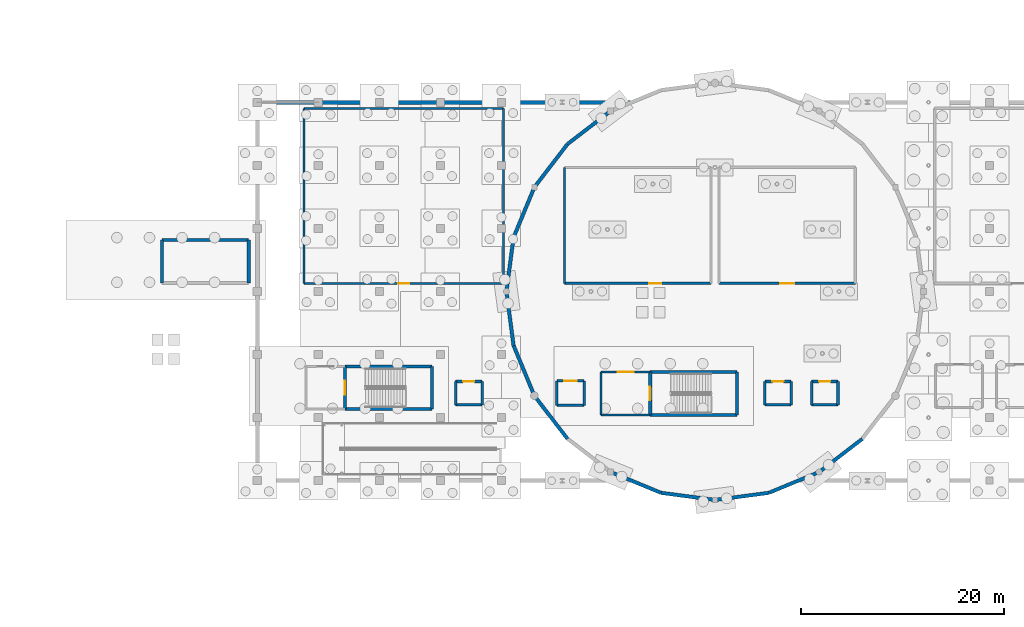
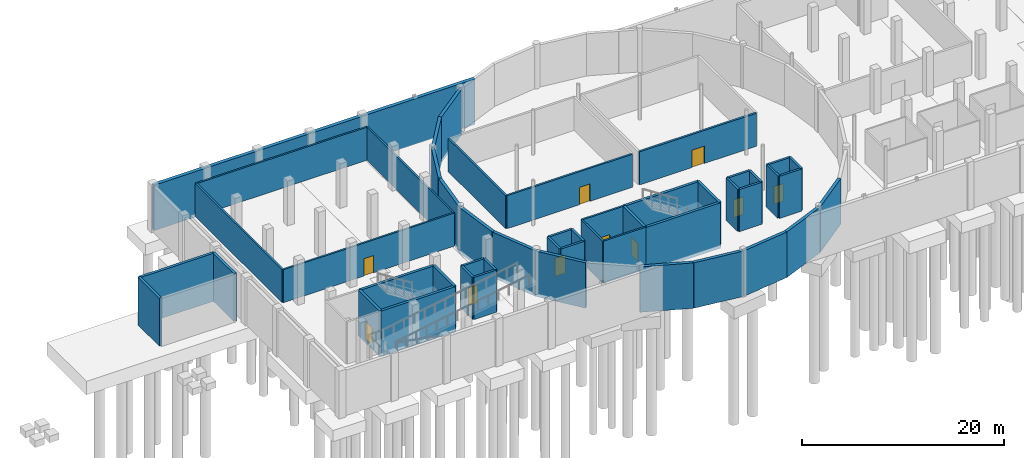
# One storey, part 11 of 19: 50 walls, 10 doors, 10 openings.
"""IFC4 building model written with IfcOpenShell, lengths in metres."""

from ifc_helpers import new_model, si_unit, direction, frame, frame_2d, origin, place, context, subcontext, project, spatial, rectangle, extrude, material, layer, layer_set, type_object, element, fill, save


model = new_model("IFC4")

# Units and contexts
model_context = context("Model", 3, precision=1e-05, world=origin(), true_north=direction((0.0, 1.0)))
body_context = subcontext(model_context, "Body", "Model", "MODEL_VIEW")
ifc_project = project(units=[si_unit("LENGTHUNIT", "METRE"), si_unit("AREAUNIT", "SQUARE_METRE"), si_unit("VOLUMEUNIT", "CUBIC_METRE"), si_unit("PLANEANGLEUNIT", "RADIAN"), si_unit("MASSUNIT", "GRAM", prefix="KILO")], contexts=[model_context])

# Site, building, storey
site_placement = place(None, origin())
site = spatial("IfcSite", under=ifc_project, at=site_placement, CompositionType="ELEMENT")
building_placement = place(site_placement, origin())
building = spatial("IfcBuilding", under=site, at=building_placement, Name="Mirzam Square Science Centre", CompositionType="ELEMENT")
storey_placement = place(building_placement, frame((0.0, 0.0, -5.39990234375)))
storey = spatial("IfcBuildingStorey", under=building, at=storey_placement, Name="B01", CompositionType="ELEMENT", Elevation=-5.39990234375)

# Walls
ifc_material_1 = material(Name="Concrete C45/55", Category="concrete")
ifc_layer_1 = layer(ifc_material_1, 0.300048828125)
ifc_layer_set_1 = layer_set([ifc_layer_1], Name="W-CORE-300")
wall_type_1 = type_object("IfcWallType", Name="W-CORE-300", PredefinedType="SHEAR", material=ifc_layer_set_1)
for number, where, z_axis, x_axis, name in (
    (1, (44.639892578125, 50.43994140625, -0.400146484375), (0.0, 0.0, 1.0), (1.0, 0.0, 0.0), "B01 CORE-1 south wall"),
    (2, (53.159912109375, 54.610107421875, -0.400146484375), (0.0, 0.0, 1.0), (-1.0, 0.0, 0.0), "B01 CORE-1 north wall"),
):
    element("IfcWall", number, at=place(storey_placement, frame(where, z_axis=z_axis, x_axis=x_axis)), inside=storey, type_object=wall_type_1, Name=name, PredefinedType="SHEAR", context=body_context, shape_type="SweptSolid", body=[
        extrude(rectangle(XDim=8.52001953125, YDim=0.300048828125, at=frame_2d((4.260009765625, 0.0))), origin(), (0.0, 0.0, 1.0), 5.5),
    ])

# Wall, opening, door
wall_1_placement = place(storey_placement, frame((44.639892578125, 54.610107421875, -0.400146484375), z_axis=(0.0, 0.0, 1.0), x_axis=(0.0, -1.0, 0.0)))
wall_1 = element("IfcWall", 3, at=wall_1_placement, inside=storey, type_object=wall_type_1, Name="B01 CORE-1 west wall", PredefinedType="SHEAR", context=body_context, shape_type="SweptSolid", body=[
    extrude(rectangle(XDim=4.170166015625, YDim=0.300048828125, at=frame_2d((2.0849609375, 0.0))), origin(), (0.0, 0.0, 1.0), 5.5),
])
opening_1_placement = place(wall_1_placement, frame((1.409912109375, 0.0, 0.39990234375)))
opening_1 = element("IfcOpeningElement", 4, at=opening_1_placement, cuts=wall_1, Name="Opening DS-01", PredefinedType="OPENING", context=body_context, shape_type="SweptSolid", body=[
    extrude(rectangle(XDim=1.35009765625, YDim=2.199951171875, at=frame_2d((0.675048828125, 1.10009765625))), frame((0.0, 0.159912109375, 0.0), z_axis=(0.0, -1.0, 0.0), x_axis=(1.0, 0.0, 0.0)), (0.0, 0.0, 1.0), 0.320068359375),
])
ifc_material_2 = material(Name="Fire-Rated Powder-Coated Architectural Steel Door", Category="steel")
door_type_1 = type_object("IfcDoorType", Name="DR-STAIR-1350x2200", OperationType="NOTDEFINED", PredefinedType="DOOR", material=ifc_material_2)
door_1_placement = place(opening_1_placement, origin())
door_1 = element("IfcDoor", 5, at=door_1_placement, inside=storey, type_object=door_type_1, Name="DRS-1-B01", OperationType="SINGLE_SWING_LEFT", OverallHeight=2.199951171875, OverallWidth=1.35009765625, PredefinedType="DOOR", context=body_context, shape_type="SweptSolid", body=[
    extrude(rectangle(XDim=1.35009765625, YDim=2.199951171875, at=frame_2d((0.675048828125, 1.10009765625))), frame((0.0, 0.02490234375, 0.0), z_axis=(0.0, -1.0, 0.0), x_axis=(1.0, 0.0, 0.0)), (0.0, 0.0, 1.0), 0.050048828125),
])
fill(opening_1, door_1)

# Walls
wall_2_placement = place(storey_placement, frame((53.159912109375, 50.43994140625, -0.400146484375), z_axis=(0.0, 0.0, 1.0), x_axis=(0.0, 1.0, 0.0)))
element("IfcWall", 6, at=wall_2_placement, inside=storey, type_object=wall_type_1, Name="B01 CORE-1 east wall", PredefinedType="SHEAR", context=body_context, shape_type="SweptSolid", body=[
    extrude(rectangle(XDim=4.170166015625, YDim=0.300048828125, at=frame_2d((2.0849609375, 0.0))), origin(), (0.0, 0.0, 1.0), 5.5),
])
wall_3_placement = place(storey_placement, frame((35.159912109375, 67.050048828125, -0.400146484375), z_axis=(0.0, 0.0, 1.0), x_axis=(-1.0, 0.0, 0.0)))
element("IfcWall", 7, at=wall_3_placement, inside=storey, type_object=wall_type_1, Name="B01 CORE-2 foundation north wall", PredefinedType="SHEAR", context=body_context, shape_type="SweptSolid", body=[
    extrude(rectangle(XDim=8.52001953125, YDim=0.300048828125, at=frame_2d((4.260009765625, 0.0))), origin(), (0.0, 0.0, 1.0), 5.800048828125),
])
for number, where, z_axis, x_axis, name in (
    (8, (26.639892578125, 67.050048828125, -0.400146484375), (0.0, 0.0, 1.0), (0.0, -1.0, 0.0), "B01 CORE-2 foundation west wall"),
    (9, (35.159912109375, 62.840087890625, -0.400146484375), (0.0, 0.0, 1.0), (0.0, 1.0, 0.0), "B01 CORE-2 foundation east wall"),
):
    element("IfcWall", number, at=place(storey_placement, frame(where, z_axis=z_axis, x_axis=x_axis)), inside=storey, type_object=wall_type_1, Name=name, PredefinedType="SHEAR", context=body_context, shape_type="SweptSolid", body=[
        extrude(rectangle(XDim=4.2099609375, YDim=0.300048828125, at=frame_2d((2.10498046875, 0.0))), origin(), (0.0, 0.0, 1.0), 5.800048828125),
    ])
for number, where, z_axis, x_axis, name in (
    (10, (74.639892578125, 49.840087890625, -0.400146484375), (0.0, 0.0, 1.0), (1.0, 0.0, 0.0), "B01 CORE-3 south wall"),
    (11, (83.159912109375, 54.090087890625, -0.400146484375), (0.0, 0.0, 1.0), (-1.0, 0.0, 0.0), "B01 CORE-3 north wall"),
):
    element("IfcWall", number, at=place(storey_placement, frame(where, z_axis=z_axis, x_axis=x_axis)), inside=storey, type_object=wall_type_1, Name=name, PredefinedType="SHEAR", context=body_context, shape_type="SweptSolid", body=[
        extrude(rectangle(XDim=8.52001953125, YDim=0.300048828125, at=frame_2d((4.260009765625, 0.0))), origin(), (0.0, 0.0, 1.0), 5.5),
    ])

# Wall, opening, door
wall_4_placement = place(storey_placement, frame((74.639892578125, 54.090087890625, -0.400146484375), z_axis=(0.0, 0.0, 1.0), x_axis=(0.0, -1.0, 0.0)))
wall_4 = element("IfcWall", 12, at=wall_4_placement, inside=storey, type_object=wall_type_1, Name="B01 CORE-3 west wall", PredefinedType="SHEAR", context=body_context, shape_type="SweptSolid", body=[
    extrude(rectangle(XDim=4.25, YDim=0.300048828125, at=frame_2d((2.125, 0.0))), origin(), (0.0, 0.0, 1.0), 5.5),
])
opening_2_placement = place(wall_4_placement, frame((1.449951171875, 0.0, 0.39990234375)))
opening_2 = element("IfcOpeningElement", 13, at=opening_2_placement, cuts=wall_4, Name="Opening DS-01", PredefinedType="OPENING", context=body_context, shape_type="SweptSolid", body=[
    extrude(rectangle(XDim=1.35009765625, YDim=2.199951171875, at=frame_2d((0.675048828125, 1.10009765625))), frame((0.0, 0.159912109375, 0.0), z_axis=(0.0, -1.0, 0.0), x_axis=(1.0, 0.0, 0.0)), (0.0, 0.0, 1.0), 0.320068359375),
])
door_2_placement = place(opening_2_placement, origin())
door_2 = element("IfcDoor", 14, at=door_2_placement, inside=storey, type_object=door_type_1, Name="DRS-3-B01", OperationType="SINGLE_SWING_LEFT", OverallHeight=2.199951171875, OverallWidth=1.35009765625, PredefinedType="DOOR", context=body_context, shape_type="SweptSolid", body=[
    extrude(rectangle(XDim=1.35009765625, YDim=2.199951171875, at=frame_2d((0.675048828125, 1.10009765625))), frame((0.0, 0.02490234375, 0.0), z_axis=(0.0, -1.0, 0.0), x_axis=(1.0, 0.0, 0.0)), (0.0, 0.0, 1.0), 0.050048828125),
])
fill(opening_2, door_2)

# Walls
wall_5_placement = place(storey_placement, frame((83.159912109375, 49.840087890625, -0.400146484375), z_axis=(0.0, 0.0, 1.0), x_axis=(0.0, 1.0, 0.0)))
element("IfcWall", 15, at=wall_5_placement, inside=storey, type_object=wall_type_1, Name="B01 CORE-3 east wall", PredefinedType="SHEAR", context=body_context, shape_type="SweptSolid", body=[
    extrude(rectangle(XDim=4.25, YDim=0.300048828125, at=frame_2d((2.125, 0.0))), origin(), (0.0, 0.0, 1.0), 5.5),
])
ifc_layer_2 = layer(ifc_material_1, 0.35009765625)
ifc_layer_set_2 = layer_set([ifc_layer_2], Name="W-DRUM-350")
wall_type_2 = type_object("IfcWallType", Name="W-DRUM-350", PredefinedType="SHEAR", material=ifc_layer_set_2)
for number, where, z_axis, x_axis, name in (
    (16, (70.75, 79.75341796875, -0.400146484375), (0.0, 0.0, 1.0), (-0.793349293227, -0.60876670321, 0.0), "B01 planetarium drum wall 09"),
    (17, (66.50439453125, 76.49560546875, -0.400146484375), (0.0, 0.0, 1.0), (-0.60876670321, -0.793349293227, 0.0), "B01 planetarium drum wall 10"),
    (18, (63.24658203125, 72.25, -0.400146484375), (0.0, 0.0, 1.0), (-0.382713071139, -0.923867255172, 0.0), "B01 planetarium drum wall 11"),
):
    element("IfcWall", number, at=place(storey_placement, frame(where, z_axis=z_axis, x_axis=x_axis)), inside=storey, type_object=wall_type_2, Name=name, PredefinedType="SHEAR", context=body_context, shape_type="SweptSolid", body=[
        extrude(rectangle(XDim=5.3515625, YDim=0.35009765625, at=frame_2d((2.67578125, 0.0))), origin(), (0.0, 0.0, 1.0), 5.5),
    ])
for number, where, z_axis, x_axis, name in (
    (19, (61.198486328125, 67.305908203125, -0.400146484375), (0.0, 0.0, 1.0), (-0.130517056518, -0.991446064069, 0.0), "B01 planetarium drum wall 12"),
    (20, (60.5, 62.0, -0.400146484375), (0.0, 0.0, 1.0), (0.130517056518, -0.991446064069, 0.0), "B01 planetarium drum wall 13"),
):
    element("IfcWall", number, at=place(storey_placement, frame(where, z_axis=z_axis, x_axis=x_axis)), inside=storey, type_object=wall_type_2, Name=name, PredefinedType="SHEAR", context=body_context, shape_type="SweptSolid", body=[
        extrude(rectangle(XDim=5.351806640625, YDim=0.35009765625, at=frame_2d((2.67578125, 0.0))), origin(), (0.0, 0.0, 1.0), 5.5),
    ])
for number, where, z_axis, x_axis, name in (
    (21, (61.198486328125, 56.694091796875, -0.400146484375), (0.0, 0.0, 1.0), (0.382713071139, -0.923867255172, 0.0), "B01 planetarium drum wall 14"),
    (22, (63.24658203125, 51.75, -0.400146484375), (0.0, 0.0, 1.0), (0.60876670321, -0.793349293227, 0.0), "B01 planetarium drum wall 15"),
    (23, (70.75, 44.24658203125, -0.400146484375), (0.0, 0.0, 1.0), (0.923867255172, -0.382713071139, 0.0), "B01 planetarium drum wall 17"),
):
    element("IfcWall", number, at=place(storey_placement, frame(where, z_axis=z_axis, x_axis=x_axis)), inside=storey, type_object=wall_type_2, Name=name, PredefinedType="SHEAR", context=body_context, shape_type="SweptSolid", body=[
        extrude(rectangle(XDim=5.3515625, YDim=0.35009765625, at=frame_2d((2.67578125, 0.0))), origin(), (0.0, 0.0, 1.0), 5.5),
    ])
for number, where, z_axis, x_axis, name in (
    (24, (75.694091796875, 42.198486328125, -0.400146484375), (0.0, 0.0, 1.0), (0.991446064069, -0.130517056518, 0.0), "B01 planetarium drum wall 18"),
    (25, (81.0, 41.5, -0.400146484375), (0.0, 0.0, 1.0), (0.991446064069, 0.130517056518, 0.0), "B01 planetarium drum wall 19"),
):
    element("IfcWall", number, at=place(storey_placement, frame(where, z_axis=z_axis, x_axis=x_axis)), inside=storey, type_object=wall_type_2, Name=name, PredefinedType="SHEAR", context=body_context, shape_type="SweptSolid", body=[
        extrude(rectangle(XDim=5.351806640625, YDim=0.35009765625, at=frame_2d((2.67578125, 0.0))), origin(), (0.0, 0.0, 1.0), 5.5),
    ])
for number, where, z_axis, x_axis, name in (
    (26, (86.305908203125, 42.198486328125, -0.400146484375), (0.0, 0.0, 1.0), (0.923867255172, 0.382713071139, 0.0), "B01 planetarium drum wall 20"),
    (27, (91.25, 44.24658203125, -0.400146484375), (0.0, 0.0, 1.0), (0.793349293227, 0.60876670321, 0.0), "B01 planetarium drum wall 21"),
):
    element("IfcWall", number, at=place(storey_placement, frame(where, z_axis=z_axis, x_axis=x_axis)), inside=storey, type_object=wall_type_2, Name=name, PredefinedType="SHEAR", context=body_context, shape_type="SweptSolid", body=[
        extrude(rectangle(XDim=5.3515625, YDim=0.35009765625, at=frame_2d((2.67578125, 0.0))), origin(), (0.0, 0.0, 1.0), 5.5),
    ])
ifc_layer_3 = layer(ifc_material_1, 0.199951171875)
ifc_layer_set_3 = layer_set([ifc_layer_3], Name="W-LOBBY-200")
wall_type_3 = type_object("IfcWallType", Name="W-LOBBY-200", PredefinedType="SHEAR", material=ifc_layer_set_3)
wall_6_placement = place(storey_placement, frame((69.800048828125, 49.840087890625, 0.0), z_axis=(0.0, 0.0, 1.0), x_axis=(1.0, 0.0, 0.0)))
element("IfcWall", 28, at=wall_6_placement, inside=storey, type_object=wall_type_3, Name="B01 CORE-3 lobby south wall", PredefinedType="SHEAR", context=body_context, shape_type="SweptSolid", body=[
    extrude(rectangle(XDim=4.83984375, YDim=0.199951171875, at=frame_2d((2.419921875, 0.0))), origin(), (0.0, 0.0, 1.0), 5.099853515625),
])

# Wall, opening, door
wall_7_placement = place(storey_placement, frame((74.639892578125, 54.090087890625, 0.0), z_axis=(0.0, 0.0, 1.0), x_axis=(-1.0, 0.0, 0.0)))
wall_7 = element("IfcWall", 29, at=wall_7_placement, inside=storey, type_object=wall_type_3, Name="B01 CORE-3 lobby north wall", PredefinedType="SHEAR", context=body_context, shape_type="SweptSolid", body=[
    extrude(rectangle(XDim=4.83984375, YDim=0.199951171875, at=frame_2d((2.419921875, 0.0))), origin(), (0.0, 0.0, 1.0), 5.099853515625),
])
opening_3_placement = place(wall_7_placement, frame((1.64501953125, 0.0, 0.0)))
opening_3 = element("IfcOpeningElement", 30, at=opening_3_placement, cuts=wall_7, Name="Opening DL-01", PredefinedType="OPENING", context=body_context, shape_type="SweptSolid", body=[
    extrude(rectangle(XDim=1.550048828125, YDim=2.199951171875, at=frame_2d((0.77490234375, 1.10009765625))), frame((0.0, 0.10986328125, 0.0), z_axis=(0.0, -1.0, 0.0), x_axis=(1.0, 0.0, 0.0)), (0.0, 0.0, 1.0), 0.219970703125),
])
ifc_material_3 = material(Name="Fire-Rated Glazed Architectural Steel Lobby Door", Category="steel")
door_type_2 = type_object("IfcDoorType", Name="DR-LOBBY-1550x2200", OperationType="DOUBLE_DOOR_SINGLE_SWING", PredefinedType="DOOR", material=ifc_material_3)
door_3_placement = place(opening_3_placement, origin())
door_3 = element("IfcDoor", 31, at=door_3_placement, inside=storey, type_object=door_type_2, Name="DRL-3-B01", OperationType="SINGLE_SWING_LEFT", OverallHeight=2.199951171875, OverallWidth=1.550048828125, PredefinedType="DOOR", context=body_context, shape_type="SweptSolid", body=[
    extrude(rectangle(XDim=1.550048828125, YDim=2.199951171875, at=frame_2d((0.77490234375, 1.10009765625))), frame((0.0, 0.02490234375, 0.0), z_axis=(0.0, -1.0, 0.0), x_axis=(1.0, 0.0, 0.0)), (0.0, 0.0, 1.0), 0.050048828125),
])
fill(opening_3, door_3)

# Walls
wall_8_placement = place(storey_placement, frame((69.800048828125, 54.090087890625, 0.0), z_axis=(0.0, 0.0, 1.0), x_axis=(0.0, -1.0, 0.0)))
element("IfcWall", 32, at=wall_8_placement, inside=storey, type_object=wall_type_3, Name="B01 CORE-3 lobby west wall", PredefinedType="SHEAR", context=body_context, shape_type="SweptSolid", body=[
    extrude(rectangle(XDim=4.25, YDim=0.199951171875, at=frame_2d((2.125, 0.0))), origin(), (0.0, 0.0, 1.0), 5.099853515625),
])
ifc_material_4 = material(Name="Fire-Rated Corridor Blockwork Concrete C30/37", Category="masonry")
ifc_layer_4 = layer(ifc_material_4, 0.199951171875)
ifc_layer_set_4 = layer_set([ifc_layer_4], Name="W-PART-200")
wall_type_4 = type_object("IfcWallType", Name="W-PART-200", PredefinedType="PARTITIONING", material=ifc_layer_set_4)
wall_9_placement = place(storey_placement, frame((40.60009765625, 80.0, 0.0), z_axis=(0.0, 0.0, 1.0), x_axis=(1.0, 0.0, 0.0)))
element("IfcWall", 33, at=wall_9_placement, inside=storey, type_object=wall_type_4, Name="B01 Visitor and Staff Cycle Store partition 13", PredefinedType="PARTITIONING", context=body_context, shape_type="SweptSolid", body=[
    extrude(rectangle(XDim=19.599853515625, YDim=0.199951171875, at=frame_2d((9.7998046875, 0.0))), origin(), (0.0, 0.0, 1.0), 4.0),
])
wall_10_placement = place(storey_placement, frame((60.199951171875, 80.0, 0.0), z_axis=(0.0, 0.0, 1.0), x_axis=(0.0, -1.0, 0.0)))
element("IfcWall", 34, at=wall_10_placement, inside=storey, type_object=wall_type_4, Name="B01 Visitor and Staff Cycle Store partition 14", PredefinedType="PARTITIONING", context=body_context, shape_type="SweptSolid", body=[
    extrude(rectangle(XDim=17.199951171875, YDim=0.199951171875, at=frame_2d((8.60009765625, 0.0))), origin(), (0.0, 0.0, 1.0), 4.0),
])

# Wall, opening, door
wall_11_placement = place(storey_placement, frame((60.199951171875, 62.800048828125, 0.0), z_axis=(0.0, 0.0, 1.0), x_axis=(-1.0, 0.0, 0.0)))
wall_11 = element("IfcWall", 35, at=wall_11_placement, inside=storey, type_object=wall_type_4, Name="B01 Visitor and Staff Cycle Store partition 15", PredefinedType="PARTITIONING", context=body_context, shape_type="SweptSolid", body=[
    extrude(rectangle(XDim=19.599853515625, YDim=0.199951171875, at=frame_2d((9.7998046875, 0.0))), origin(), (0.0, 0.0, 1.0), 4.0),
])
opening_4_placement = place(wall_11_placement, frame((9.25, 0.0, 0.0)))
opening_4 = element("IfcOpeningElement", 36, at=opening_4_placement, cuts=wall_11, Name="Opening D-05", PredefinedType="OPENING", context=body_context, shape_type="SweptSolid", body=[
    extrude(rectangle(XDim=1.10009765625, YDim=2.10009765625, at=frame_2d((0.550048828125, 1.050048828125))), frame((0.0, 0.10986328125, 0.0), z_axis=(0.0, -1.0, 0.0), x_axis=(1.0, 0.0, 0.0)), (0.0, 0.0, 1.0), 0.219970703125),
])
ifc_material_5 = material(Name="Solid Core Acoustic Oak Timber Door", Category="wood")
door_type_3 = type_object("IfcDoorType", Name="DR-INT-1100x2100", OperationType="NOTDEFINED", PredefinedType="DOOR", material=ifc_material_5)
door_4_placement = place(opening_4_placement, origin())
door_4 = element("IfcDoor", 37, at=door_4_placement, inside=storey, type_object=door_type_3, Name="ID-B01-0004", OperationType="SINGLE_SWING_LEFT", OverallHeight=2.10009765625, OverallWidth=1.10009765625, PredefinedType="DOOR", context=body_context, shape_type="SweptSolid", body=[
    extrude(rectangle(XDim=1.10009765625, YDim=2.10009765625, at=frame_2d((0.550048828125, 1.050048828125))), frame((0.0, 0.02490234375, 0.0), z_axis=(0.0, -1.0, 0.0), x_axis=(1.0, 0.0, 0.0)), (0.0, 0.0, 1.0), 0.050048828125),
])
fill(opening_4, door_4)

# Wall
wall_12_placement = place(storey_placement, frame((40.60009765625, 62.800048828125, 0.0), z_axis=(0.0, 0.0, 1.0), x_axis=(0.0, 1.0, 0.0)))
element("IfcWall", 38, at=wall_12_placement, inside=storey, type_object=wall_type_4, Name="B01 Visitor and Staff Cycle Store partition 16", PredefinedType="PARTITIONING", context=body_context, shape_type="SweptSolid", body=[
    extrude(rectangle(XDim=17.199951171875, YDim=0.199951171875, at=frame_2d((8.60009765625, 0.0))), origin(), (0.0, 0.0, 1.0), 4.0),
])

# Wall, opening, door
ifc_material_6 = material(Name="Chemical Prep Fire Partition Concrete C30/37", Category="concrete")
ifc_layer_5 = layer(ifc_material_6, 0.215087890625)
ifc_layer_set_5 = layer_set([ifc_layer_5], Name="W-PART-215")
wall_type_5 = type_object("IfcWallType", Name="W-PART-215", PredefinedType="PARTITIONING", material=ifc_layer_set_5)
wall_13_placement = place(storey_placement, frame((80.60009765625, 62.800048828125, 0.0), z_axis=(0.0, 0.0, 1.0), x_axis=(-1.0, 0.0, 0.0)))
wall_13 = element("IfcWall", 39, at=wall_13_placement, inside=storey, type_object=wall_type_5, Name="B01 Exhibit Fabrication Workshop partition 19", PredefinedType="PARTITIONING", context=body_context, shape_type="SweptSolid", body=[
    extrude(rectangle(XDim=14.400146484375, YDim=0.215087890625, at=frame_2d((7.2001953125, 0.0))), origin(), (0.0, 0.0, 1.0), 4.0),
])
opening_5_placement = place(wall_13_placement, frame((4.8720703125, 0.0, 0.0)))
opening_5 = element("IfcOpeningElement", 40, at=opening_5_placement, cuts=wall_13, Name="Opening D-06", PredefinedType="OPENING", context=body_context, shape_type="SweptSolid", body=[
    extrude(rectangle(XDim=1.199951171875, YDim=2.10009765625, at=frame_2d((0.60009765625, 1.050048828125))), frame((0.0, 0.117431640625, 0.0), z_axis=(0.0, -1.0, 0.0), x_axis=(1.0, 0.0, 0.0)), (0.0, 0.0, 1.0), 0.235107421875),
])
door_type_4 = type_object("IfcDoorType", Name="DR-INT-1200x2100", OperationType="NOTDEFINED", PredefinedType="DOOR", material=ifc_material_5)
door_5_placement = place(opening_5_placement, origin())
door_5 = element("IfcDoor", 41, at=door_5_placement, inside=storey, type_object=door_type_4, Name="ID-B01-0005", OperationType="SINGLE_SWING_RIGHT", OverallHeight=2.10009765625, OverallWidth=1.199951171875, PredefinedType="DOOR", context=body_context, shape_type="SweptSolid", body=[
    extrude(rectangle(XDim=1.199951171875, YDim=2.10009765625, at=frame_2d((0.60009765625, 1.050048828125))), frame((0.0, 0.02490234375, 0.0), z_axis=(0.0, -1.0, 0.0), x_axis=(1.0, 0.0, 0.0)), (0.0, 0.0, 1.0), 0.050048828125),
])
fill(opening_5, door_5)

# Wall
wall_14_placement = place(storey_placement, frame((66.199951171875, 62.800048828125, 0.0), z_axis=(0.0, 0.0, 1.0), x_axis=(0.0, 1.0, 0.0)))
element("IfcWall", 42, at=wall_14_placement, inside=storey, type_object=wall_type_5, Name="B01 Exhibit Fabrication Workshop partition 20", PredefinedType="PARTITIONING", context=body_context, shape_type="SweptSolid", body=[
    extrude(rectangle(XDim=11.39990234375, YDim=0.215087890625, at=frame_2d((5.699951171875, 0.0))), origin(), (0.0, 0.0, 1.0), 4.0),
])

# Wall, opening, door
ifc_material_7 = material(Name="Gallery Display Backing Wall Concrete C30/37", Category="concrete")
ifc_layer_6 = layer(ifc_material_7, 0.22998046875)
ifc_layer_set_6 = layer_set([ifc_layer_6], Name="W-PART-230")
wall_type_6 = type_object("IfcWallType", Name="W-PART-230", PredefinedType="PARTITIONING", material=ifc_layer_set_6)
wall_15_placement = place(storey_placement, frame((94.800048828125, 62.800048828125, 0.0), z_axis=(0.0, 0.0, 1.0), x_axis=(-1.0, 0.0, 0.0)))
wall_15 = element("IfcWall", 43, at=wall_15_placement, inside=storey, type_object=wall_type_6, Name="B01 Conservation and Quarantine Laboratory partition 23", PredefinedType="PARTITIONING", context=body_context, shape_type="SweptSolid", body=[
    extrude(rectangle(XDim=13.400146484375, YDim=0.22998046875, at=frame_2d((6.7001953125, 0.0))), origin(), (0.0, 0.0, 1.0), 4.0),
])
opening_6_placement = place(wall_15_placement, frame((6.0, 0.0, 0.0)))
opening_6 = element("IfcOpeningElement", 44, at=opening_6_placement, cuts=wall_15, Name="Opening D-07", PredefinedType="OPENING", context=body_context, shape_type="SweptSolid", body=[
    extrude(rectangle(XDim=1.39990234375, YDim=2.10009765625, at=frame_2d((0.699951171875, 1.050048828125))), frame((0.0, 0.125, 0.0), z_axis=(0.0, -1.0, 0.0), x_axis=(1.0, 0.0, 0.0)), (0.0, 0.0, 1.0), 0.25),
])
door_type_5 = type_object("IfcDoorType", Name="DR-INT-1400x2100", OperationType="NOTDEFINED", PredefinedType="DOOR", material=ifc_material_5)
door_6_placement = place(opening_6_placement, origin())
door_6 = element("IfcDoor", 45, at=door_6_placement, inside=storey, type_object=door_type_5, Name="ID-B01-0006", OperationType="SINGLE_SWING_LEFT", OverallHeight=2.10009765625, OverallWidth=1.39990234375, PredefinedType="DOOR", context=body_context, shape_type="SweptSolid", body=[
    extrude(rectangle(XDim=1.39990234375, YDim=2.10009765625, at=frame_2d((0.699951171875, 1.050048828125))), frame((0.0, 0.02490234375, 0.0), z_axis=(0.0, -1.0, 0.0), x_axis=(1.0, 0.0, 0.0)), (0.0, 0.0, 1.0), 0.050048828125),
])
fill(opening_6, door_6)

# Walls
ifc_layer_7 = layer(ifc_material_1, 0.39990234375)
ifc_layer_set_7 = layer_set([ifc_layer_7], Name="W-RET-400")
wall_type_7 = type_object("IfcWallType", Name="W-RET-400", PredefinedType="USERDEFINED", material=ifc_layer_set_7)
wall_16_placement = place(storey_placement, frame((36.0, 80.60009765625, -0.400146484375), z_axis=(0.0, 0.0, 1.0), x_axis=(1.0, 0.0, 0.0)))
element("IfcWall", 46, at=wall_16_placement, inside=storey, type_object=wall_type_7, Name="B01 tanked retaining wall 13", ObjectType="RETAINING WALL", PredefinedType="USERDEFINED", context=body_context, shape_type="SweptSolid", body=[
    extrude(rectangle(XDim=36.793701171875, YDim=0.39990234375, at=frame_2d((18.39697265625, 0.0))), origin(), (0.0, 0.0, 1.0), 5.5),
])
ifc_layer_8 = layer(ifc_material_1, 0.25)
ifc_layer_set_8 = layer_set([ifc_layer_8], Name="W-SHAFT-250")
wall_type_8 = type_object("IfcWallType", Name="W-SHAFT-250", PredefinedType="SHEAR", material=ifc_layer_set_8)
wall_17_placement = place(storey_placement, frame((85.89990234375, 50.85009765625, 0.0), z_axis=(0.0, 0.0, 1.0), x_axis=(1.0, 0.0, 0.0)))
element("IfcWall", 47, at=wall_17_placement, inside=storey, type_object=wall_type_8, Name="B01 lift LP-01 shaft wall S", PredefinedType="SHEAR", context=body_context, shape_type="SweptSolid", body=[
    extrude(rectangle(XDim=2.60009765625, YDim=0.25, at=frame_2d((1.300048828125, 0.0))), origin(), (0.0, 0.0, 1.0), 5.099853515625),
])

# Wall, opening, door
wall_18_placement = place(storey_placement, frame((88.5, 53.14990234375, 0.0), z_axis=(0.0, 0.0, 1.0), x_axis=(-1.0, 0.0, 0.0)))
wall_18 = element("IfcWall", 48, at=wall_18_placement, inside=storey, type_object=wall_type_8, Name="B01 lift LP-01 shaft wall N", PredefinedType="SHEAR", context=body_context, shape_type="SweptSolid", body=[
    extrude(rectangle(XDim=2.60009765625, YDim=0.25, at=frame_2d((1.300048828125, 0.0))), origin(), (0.0, 0.0, 1.0), 5.099853515625),
])
opening_7_placement = place(wall_18_placement, frame((0.75, 0.0, 0.0)))
opening_7 = element("IfcOpeningElement", 49, at=opening_7_placement, cuts=wall_18, Name="Opening LD-01", PredefinedType="OPENING", context=body_context, shape_type="SweptSolid", body=[
    extrude(rectangle(XDim=1.10009765625, YDim=2.14990234375, at=frame_2d((0.550048828125, 1.074951171875))), frame((0.0, 0.135009765625, 0.0), z_axis=(0.0, -1.0, 0.0), x_axis=(1.0, 0.0, 0.0)), (0.0, 0.0, 1.0), 0.27001953125),
])
ifc_material_8 = material(Name="Brushed Stainless Steel 316L Sliding Lift Door", Category="steel")
door_type_6 = type_object("IfcDoorType", Name="LD-PASS-1100x2150", OperationType="DOUBLE_DOOR_SLIDING", PredefinedType="DOOR", material=ifc_material_8)
door_7_placement = place(opening_7_placement, origin())
door_7 = element("IfcDoor", 50, at=door_7_placement, inside=storey, type_object=door_type_6, Name="LD-LP-01-B01", OperationType="DOUBLE_DOOR_SLIDING", OverallHeight=2.14990234375, OverallWidth=1.10009765625, PredefinedType="DOOR", context=body_context, shape_type="SweptSolid", body=[
    extrude(rectangle(XDim=1.10009765625, YDim=2.14990234375, at=frame_2d((0.550048828125, 1.074951171875))), frame((0.0, 0.02490234375, 0.0), z_axis=(0.0, -1.0, 0.0), x_axis=(1.0, 0.0, 0.0)), (0.0, 0.0, 1.0), 0.050048828125),
])
fill(opening_7, door_7)

# Walls
for number, where, z_axis, x_axis, name in (
    (51, (85.89990234375, 53.14990234375, 0.0), (0.0, 0.0, 1.0), (0.0, -1.0, 0.0), "B01 lift LP-01 shaft wall W"),
    (52, (88.5, 50.85009765625, 0.0), (0.0, 0.0, 1.0), (0.0, 1.0, 0.0), "B01 lift LP-01 shaft wall E"),
):
    element("IfcWall", number, at=place(storey_placement, frame(where, z_axis=z_axis, x_axis=x_axis)), inside=storey, type_object=wall_type_8, Name=name, PredefinedType="SHEAR", context=body_context, shape_type="SweptSolid", body=[
        extrude(rectangle(XDim=2.2998046875, YDim=0.25, at=frame_2d((1.14990234375, 0.0))), origin(), (0.0, 0.0, 1.0), 5.099853515625),
    ])
wall_19_placement = place(storey_placement, frame((90.5, 50.85009765625, 0.0), z_axis=(0.0, 0.0, 1.0), x_axis=(1.0, 0.0, 0.0)))
element("IfcWall", 53, at=wall_19_placement, inside=storey, type_object=wall_type_8, Name="B01 lift LP-02 shaft wall S", PredefinedType="SHEAR", context=body_context, shape_type="SweptSolid", body=[
    extrude(rectangle(XDim=2.60009765625, YDim=0.25, at=frame_2d((1.300048828125, 0.0))), origin(), (0.0, 0.0, 1.0), 5.099853515625),
])

# Wall, opening, door
wall_20_placement = place(storey_placement, frame((93.10009765625, 53.14990234375, 0.0), z_axis=(0.0, 0.0, 1.0), x_axis=(-1.0, 0.0, 0.0)))
wall_20 = element("IfcWall", 54, at=wall_20_placement, inside=storey, type_object=wall_type_8, Name="B01 lift LP-02 shaft wall N", PredefinedType="SHEAR", context=body_context, shape_type="SweptSolid", body=[
    extrude(rectangle(XDim=2.60009765625, YDim=0.25, at=frame_2d((1.300048828125, 0.0))), origin(), (0.0, 0.0, 1.0), 5.099853515625),
])
opening_8_placement = place(wall_20_placement, frame((0.75, 0.0, 0.0)))
opening_8 = element("IfcOpeningElement", 55, at=opening_8_placement, cuts=wall_20, Name="Opening LD-01", PredefinedType="OPENING", context=body_context, shape_type="SweptSolid", body=[
    extrude(rectangle(XDim=1.10009765625, YDim=2.14990234375, at=frame_2d((0.550048828125, 1.074951171875))), frame((0.0, 0.135009765625, 0.0), z_axis=(0.0, -1.0, 0.0), x_axis=(1.0, 0.0, 0.0)), (0.0, 0.0, 1.0), 0.27001953125),
])
door_8_placement = place(opening_8_placement, origin())
door_8 = element("IfcDoor", 56, at=door_8_placement, inside=storey, type_object=door_type_6, Name="LD-LP-02-B01", OperationType="DOUBLE_DOOR_SLIDING", OverallHeight=2.14990234375, OverallWidth=1.10009765625, PredefinedType="DOOR", context=body_context, shape_type="SweptSolid", body=[
    extrude(rectangle(XDim=1.10009765625, YDim=2.14990234375, at=frame_2d((0.550048828125, 1.074951171875))), frame((0.0, 0.02490234375, 0.0), z_axis=(0.0, -1.0, 0.0), x_axis=(1.0, 0.0, 0.0)), (0.0, 0.0, 1.0), 0.050048828125),
])
fill(opening_8, door_8)

# Walls
for number, where, z_axis, x_axis, name in (
    (57, (90.5, 53.14990234375, 0.0), (0.0, 0.0, 1.0), (0.0, -1.0, 0.0), "B01 lift LP-02 shaft wall W"),
    (58, (93.10009765625, 50.85009765625, 0.0), (0.0, 0.0, 1.0), (0.0, 1.0, 0.0), "B01 lift LP-02 shaft wall E"),
):
    element("IfcWall", number, at=place(storey_placement, frame(where, z_axis=z_axis, x_axis=x_axis)), inside=storey, type_object=wall_type_8, Name=name, PredefinedType="SHEAR", context=body_context, shape_type="SweptSolid", body=[
        extrude(rectangle(XDim=2.2998046875, YDim=0.25, at=frame_2d((1.14990234375, 0.0))), origin(), (0.0, 0.0, 1.0), 5.099853515625),
    ])
wall_21_placement = place(storey_placement, frame((55.5, 50.85009765625, 0.0), z_axis=(0.0, 0.0, 1.0), x_axis=(1.0, 0.0, 0.0)))
element("IfcWall", 59, at=wall_21_placement, inside=storey, type_object=wall_type_8, Name="B01 lift LP-04 shaft wall S", PredefinedType="SHEAR", context=body_context, shape_type="SweptSolid", body=[
    extrude(rectangle(XDim=2.60009765625, YDim=0.25, at=frame_2d((1.300048828125, 0.0))), origin(), (0.0, 0.0, 1.0), 5.099853515625),
])

# Wall, opening, door
wall_22_placement = place(storey_placement, frame((58.10009765625, 53.14990234375, 0.0), z_axis=(0.0, 0.0, 1.0), x_axis=(-1.0, 0.0, 0.0)))
wall_22 = element("IfcWall", 60, at=wall_22_placement, inside=storey, type_object=wall_type_8, Name="B01 lift LP-04 shaft wall N", PredefinedType="SHEAR", context=body_context, shape_type="SweptSolid", body=[
    extrude(rectangle(XDim=2.60009765625, YDim=0.25, at=frame_2d((1.300048828125, 0.0))), origin(), (0.0, 0.0, 1.0), 5.099853515625),
])
opening_9_placement = place(wall_22_placement, frame((0.75, 0.0, 0.0)))
opening_9 = element("IfcOpeningElement", 61, at=opening_9_placement, cuts=wall_22, Name="Opening LD-01", PredefinedType="OPENING", context=body_context, shape_type="SweptSolid", body=[
    extrude(rectangle(XDim=1.10009765625, YDim=2.14990234375, at=frame_2d((0.550048828125, 1.074951171875))), frame((0.0, 0.135009765625, 0.0), z_axis=(0.0, -1.0, 0.0), x_axis=(1.0, 0.0, 0.0)), (0.0, 0.0, 1.0), 0.27001953125),
])
door_9_placement = place(opening_9_placement, origin())
door_9 = element("IfcDoor", 62, at=door_9_placement, inside=storey, type_object=door_type_6, Name="LD-LP-04-B01", OperationType="DOUBLE_DOOR_SLIDING", OverallHeight=2.14990234375, OverallWidth=1.10009765625, PredefinedType="DOOR", context=body_context, shape_type="SweptSolid", body=[
    extrude(rectangle(XDim=1.10009765625, YDim=2.14990234375, at=frame_2d((0.550048828125, 1.074951171875))), frame((0.0, 0.02490234375, 0.0), z_axis=(0.0, -1.0, 0.0), x_axis=(1.0, 0.0, 0.0)), (0.0, 0.0, 1.0), 0.050048828125),
])
fill(opening_9, door_9)

# Walls
for number, where, z_axis, x_axis, name in (
    (63, (55.5, 53.14990234375, 0.0), (0.0, 0.0, 1.0), (0.0, -1.0, 0.0), "B01 lift LP-04 shaft wall W"),
    (64, (58.10009765625, 50.85009765625, 0.0), (0.0, 0.0, 1.0), (0.0, 1.0, 0.0), "B01 lift LP-04 shaft wall E"),
):
    element("IfcWall", number, at=place(storey_placement, frame(where, z_axis=z_axis, x_axis=x_axis)), inside=storey, type_object=wall_type_8, Name=name, PredefinedType="SHEAR", context=body_context, shape_type="SweptSolid", body=[
        extrude(rectangle(XDim=2.2998046875, YDim=0.25, at=frame_2d((1.14990234375, 0.0))), origin(), (0.0, 0.0, 1.0), 5.099853515625),
    ])
wall_23_placement = place(storey_placement, frame((65.449951171875, 50.800048828125, 0.0), z_axis=(0.0, 0.0, 1.0), x_axis=(1.0, 0.0, 0.0)))
element("IfcWall", 65, at=wall_23_placement, inside=storey, type_object=wall_type_8, Name="B01 lift LF-01 shaft wall S", PredefinedType="SHEAR", context=body_context, shape_type="SweptSolid", body=[
    extrude(rectangle(XDim=2.699951171875, YDim=0.25, at=frame_2d((1.35009765625, 0.0))), origin(), (0.0, 0.0, 1.0), 5.099853515625),
])

# Wall, opening, door
wall_24_placement = place(storey_placement, frame((68.14990234375, 53.199951171875, 0.0), z_axis=(0.0, 0.0, 1.0), x_axis=(-1.0, 0.0, 0.0)))
wall_24 = element("IfcWall", 66, at=wall_24_placement, inside=storey, type_object=wall_type_8, Name="B01 lift LF-01 shaft wall N", PredefinedType="SHEAR", context=body_context, shape_type="SweptSolid", body=[
    extrude(rectangle(XDim=2.699951171875, YDim=0.25, at=frame_2d((1.35009765625, 0.0))), origin(), (0.0, 0.0, 1.0), 5.099853515625),
])
opening_10_placement = place(wall_24_placement, frame((0.75, 0.0, 0.0)))
opening_10 = element("IfcOpeningElement", 67, at=opening_10_placement, cuts=wall_24, Name="Opening LD-02", PredefinedType="OPENING", context=body_context, shape_type="SweptSolid", body=[
    extrude(rectangle(XDim=1.199951171875, YDim=2.199951171875, at=frame_2d((0.60009765625, 1.10009765625))), frame((0.0, 0.135009765625, 0.0), z_axis=(0.0, -1.0, 0.0), x_axis=(1.0, 0.0, 0.0)), (0.0, 0.0, 1.0), 0.27001953125),
])
ifc_material_9 = material(Name="Firefighting Brushed Stainless Steel 316L Sliding Door", Category="steel")
door_type_7 = type_object("IfcDoorType", Name="LD-FIRE-1200x2200", OperationType="DOUBLE_DOOR_SLIDING", PredefinedType="DOOR", material=ifc_material_9)
door_10_placement = place(opening_10_placement, origin())
door_10 = element("IfcDoor", 68, at=door_10_placement, inside=storey, type_object=door_type_7, Name="LD-LF-01-B01", OperationType="DOUBLE_DOOR_SLIDING", OverallHeight=2.199951171875, OverallWidth=1.199951171875, PredefinedType="DOOR", context=body_context, shape_type="SweptSolid", body=[
    extrude(rectangle(XDim=1.199951171875, YDim=2.199951171875, at=frame_2d((0.60009765625, 1.10009765625))), frame((0.0, 0.02490234375, 0.0), z_axis=(0.0, -1.0, 0.0), x_axis=(1.0, 0.0, 0.0)), (0.0, 0.0, 1.0), 0.050048828125),
])
fill(opening_10, door_10)

# Walls
for number, where, z_axis, x_axis, name in (
    (69, (65.449951171875, 53.199951171875, 0.0), (0.0, 0.0, 1.0), (0.0, -1.0, 0.0), "B01 lift LF-01 shaft wall W"),
    (70, (68.14990234375, 50.800048828125, 0.0), (0.0, 0.0, 1.0), (0.0, 1.0, 0.0), "B01 lift LF-01 shaft wall E"),
):
    element("IfcWall", number, at=place(storey_placement, frame(where, z_axis=z_axis, x_axis=x_axis)), inside=storey, type_object=wall_type_8, Name=name, PredefinedType="SHEAR", context=body_context, shape_type="SweptSolid", body=[
        extrude(rectangle(XDim=2.39990234375, YDim=0.25, at=frame_2d((1.199951171875, 0.0))), origin(), (0.0, 0.0, 1.0), 5.099853515625),
    ])

save(model, "model.ifc")
